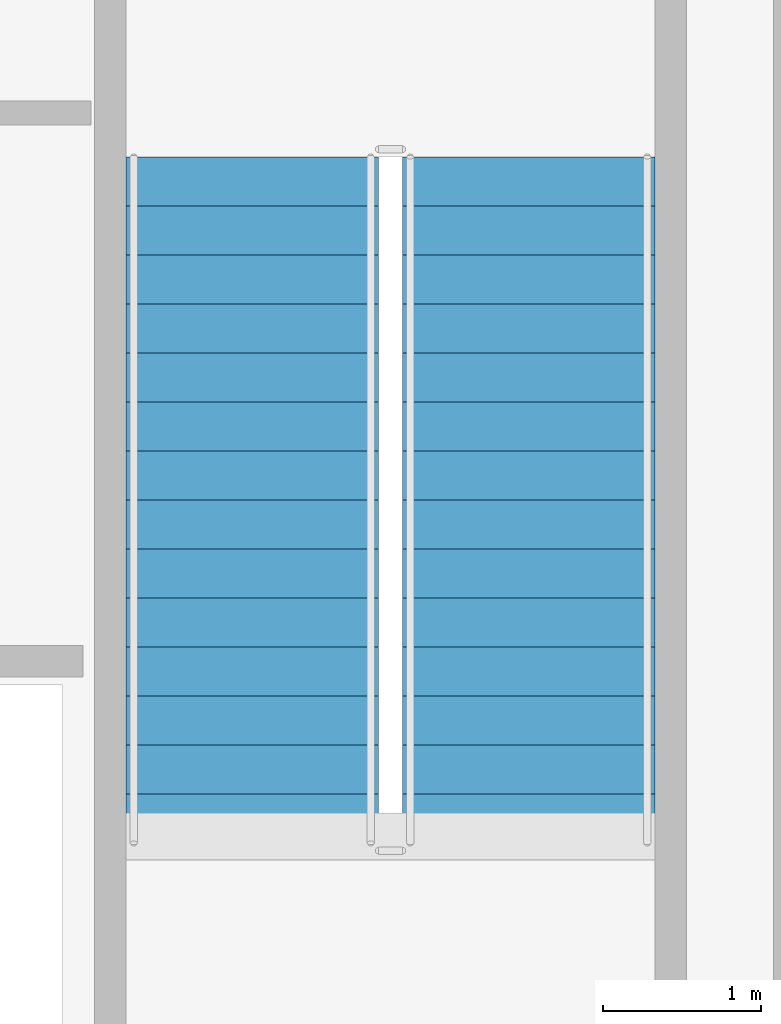
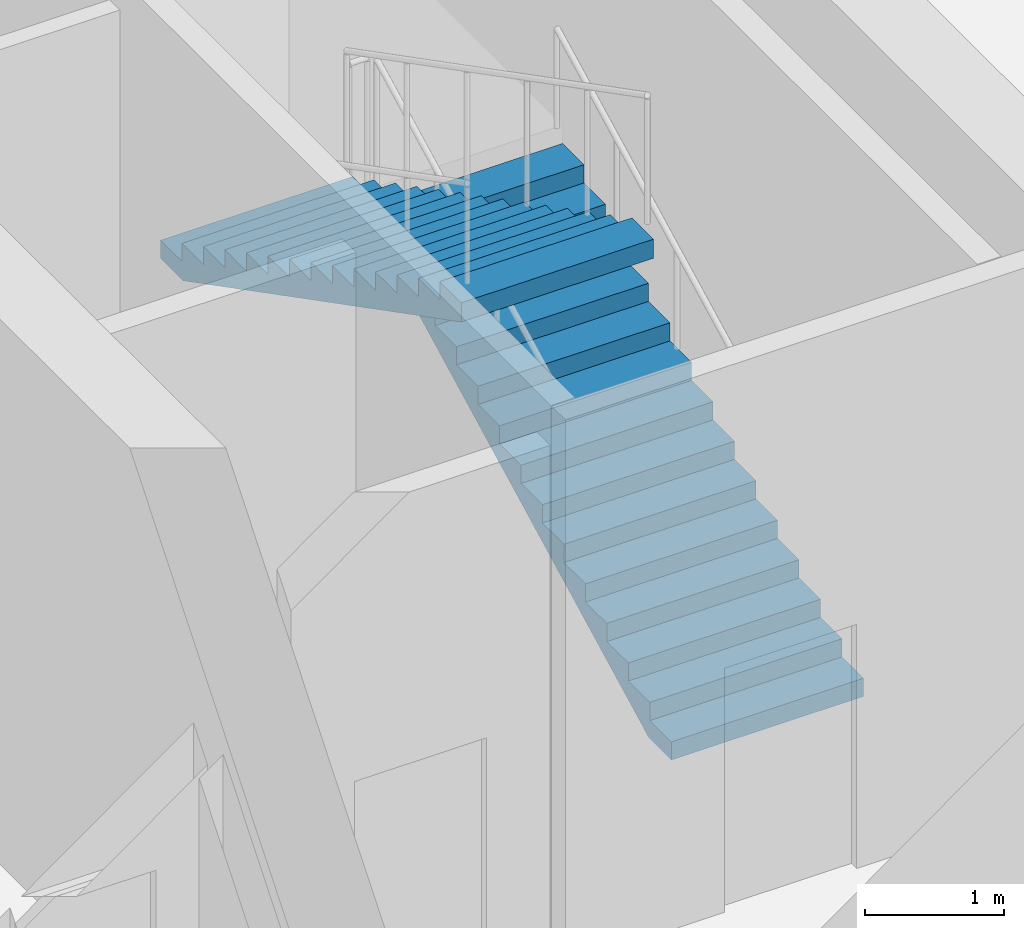
# One storey, part 6 of 9: 2 stair flights, 1 element without a shape of its own.
"""IFC4 building model written with IfcOpenShell, lengths in metres."""

from ifc_helpers import new_model, si_unit, direction, frame, origin, place, context, subcontext, project, spatial, polyline, outline, extrude, material, type_object, element, aggregate, save


model = new_model("IFC4")

# Units and contexts
model_context = context("Model", 3, precision=1e-05, world=origin(), true_north=direction((0.0, 1.0)))
body_context = subcontext(model_context, "Body", "Model", "MODEL_VIEW")
ifc_project = project(units=[si_unit("LENGTHUNIT", "METRE"), si_unit("AREAUNIT", "SQUARE_METRE"), si_unit("VOLUMEUNIT", "CUBIC_METRE"), si_unit("PLANEANGLEUNIT", "RADIAN"), si_unit("MASSUNIT", "GRAM", prefix="KILO")], contexts=[model_context])

# Site, building, storey
site_placement = place(None, origin())
site = spatial("IfcSite", under=ifc_project, at=site_placement, CompositionType="ELEMENT")
building_placement = place(site_placement, origin())
building = spatial("IfcBuilding", under=site, at=building_placement, Name="Vaeldorn Concourse Tower", CompositionType="ELEMENT")
storey_placement = place(building_placement, frame((0.0, 0.0, 218.39990234375)))
storey = spatial("IfcBuildingStorey", under=building, at=storey_placement, Name="L56", CompositionType="ELEMENT", Elevation=218.39990234375)

# Stair, stair flights
ifc_material = material(Name="Precast concrete C40/50", Category="concrete")
stair_type = type_object("IfcStairType", Name="STR-DOG-30x160", PredefinedType="HALF_TURN_STAIR", material=ifc_material)
stair_placement = place(storey_placement, origin())
stair = element("IfcStair", 1, at=stair_placement, inside=storey, type_object=stair_type, Name="L56 East Core Exit Stair ST-2", PredefinedType="HALF_TURN_STAIR")
stair_flight_type = type_object("IfcStairFlightType", Name="STF-STR-15x160", PredefinedType="STRAIGHT", material=ifc_material)
stair_flight_1_placement = place(storey_placement, frame((52.14990234375, 41.60009765625, 0.0), z_axis=(0.0, 0.0, 1.0), x_axis=(0.0, 1.0, 0.0)))
stair_flight_1 = element("IfcStairFlight", 2, at=stair_flight_1_placement, type_object=stair_flight_type, Name="ST-2 flight 1", NumberOfRisers=15, NumberOfTreads=14, PredefinedType="STRAIGHT", RiserHeight=0.16, TreadLength=0.31, context=body_context, shape_type="SweptSolid", body=[
    extrude(outline(polyline([(0.0, 0.0), (0.0, 0.159912109375), (0.31005859375, 0.159912109375), (0.31005859375, 0.320068359375), (0.6201171875, 0.320068359375), (0.6201171875, 0.47998046875), (0.929931640625, 0.47998046875), (0.929931640625, 0.639892578125), (1.239990234375, 0.639892578125), (1.239990234375, 0.800048828125), (1.550048828125, 0.800048828125), (1.550048828125, 0.9599609375), (1.860107421875, 0.9599609375), (1.860107421875, 1.1201171875), (2.169921875, 1.1201171875), (2.169921875, 1.280029296875), (2.47998046875, 1.280029296875), (2.47998046875, 1.43994140625), (2.7900390625, 1.43994140625), (2.7900390625, 1.60009765625), (3.10009765625, 1.60009765625), (3.10009765625, 1.760009765625), (3.409912109375, 1.760009765625), (3.409912109375, 1.919921875), (3.719970703125, 1.919921875), (3.719970703125, 2.080078125), (4.030029296875, 2.080078125), (4.030029296875, 2.239990234375), (4.340087890625, 2.239990234375), (4.340087890625, 2.39990234375), (4.340087890625, 2.0712890625), (0.326904296875, 0.0), (0.0, 0.0)])), frame((0.0, 0.800048828125, 0.0), z_axis=(0.0, -1.0, 0.0), x_axis=(1.0, 0.0, 0.0)), (0.0, 0.0, 1.0), 1.60009765625),
])
stair_flight_2_placement = place(storey_placement, frame((50.39990234375, 45.93994140625, 2.400146484375), z_axis=(0.0, 0.0, 1.0), x_axis=(0.0, -1.0, 0.0)))
stair_flight_2 = element("IfcStairFlight", 3, at=stair_flight_2_placement, type_object=stair_flight_type, Name="ST-2 flight 2", NumberOfRisers=15, NumberOfTreads=14, PredefinedType="STRAIGHT", RiserHeight=0.16, TreadLength=0.31, context=body_context, shape_type="SweptSolid", body=[
    extrude(outline(polyline([(0.0, 0.0), (0.0, 0.159912109375), (0.31005859375, 0.159912109375), (0.31005859375, 0.320068359375), (0.6201171875, 0.320068359375), (0.6201171875, 0.47998046875), (0.929931640625, 0.47998046875), (0.929931640625, 0.639892578125), (1.239990234375, 0.639892578125), (1.239990234375, 0.800048828125), (1.550048828125, 0.800048828125), (1.550048828125, 0.9599609375), (1.860107421875, 0.9599609375), (1.860107421875, 1.1201171875), (2.169921875, 1.1201171875), (2.169921875, 1.280029296875), (2.47998046875, 1.280029296875), (2.47998046875, 1.43994140625), (2.7900390625, 1.43994140625), (2.7900390625, 1.60009765625), (3.10009765625, 1.60009765625), (3.10009765625, 1.760009765625), (3.409912109375, 1.760009765625), (3.409912109375, 1.919921875), (3.719970703125, 1.919921875), (3.719970703125, 2.080078125), (4.030029296875, 2.080078125), (4.030029296875, 2.239990234375), (4.340087890625, 2.239990234375), (4.340087890625, 2.39990234375), (4.340087890625, 2.0712890625), (0.326904296875, 0.0), (0.0, 0.0)])), frame((0.0, 0.800048828125, 0.0), z_axis=(0.0, -1.0, 0.0), x_axis=(1.0, 0.0, 0.0)), (0.0, 0.0, 1.0), 1.60009765625),
])
aggregate(stair, [stair_flight_1, stair_flight_2])

save(model, "model.ifc")
